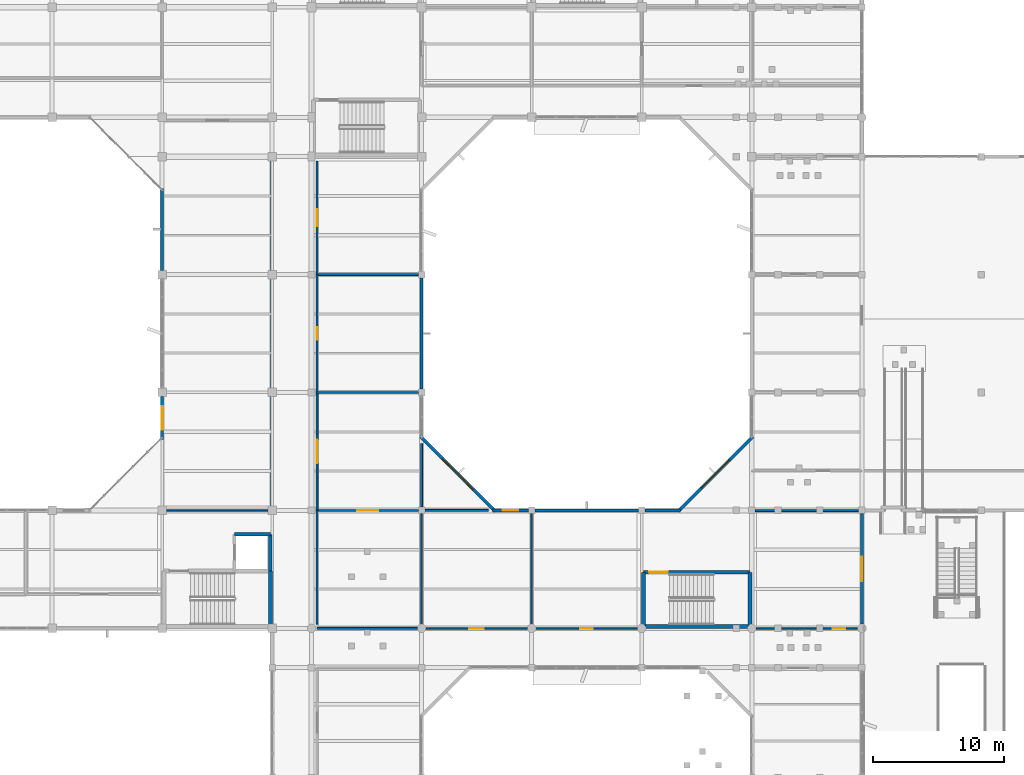
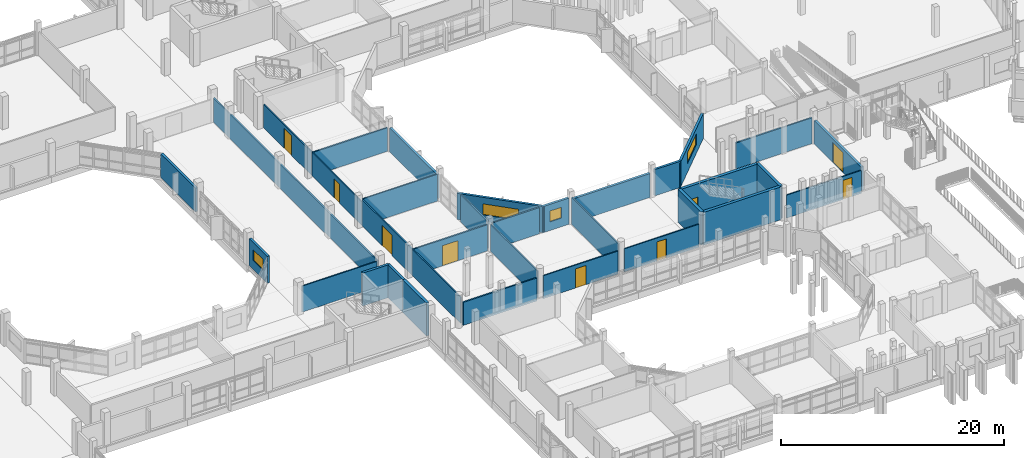
# One storey, part 67 of 104: 34 walls, 9 doors, 4 windows, 13 openings.
"""IFC4 building model written with IfcOpenShell, lengths in metres."""

from ifc_helpers import new_model, si_unit, direction, frame, frame_2d, origin, place, context, subcontext, project, spatial, rectangle, extrude, material, layer, layer_set, type_object, element, fill, save


model = new_model("IFC4")

# Units and contexts
model_context = context("Model", 3, precision=1e-05, world=origin(), true_north=direction((0.0, 1.0)))
body_context = subcontext(model_context, "Body", "Model", "MODEL_VIEW")
ifc_project = project(units=[si_unit("LENGTHUNIT", "METRE"), si_unit("AREAUNIT", "SQUARE_METRE"), si_unit("VOLUMEUNIT", "CUBIC_METRE"), si_unit("PLANEANGLEUNIT", "RADIAN"), si_unit("MASSUNIT", "GRAM", prefix="KILO")], contexts=[model_context])

# Site, building, storey
site_placement = place(None, origin())
site = spatial("IfcSite", under=ifc_project, at=site_placement, CompositionType="ELEMENT")
building_placement = place(site_placement, origin())
building = spatial("IfcBuilding", under=site, at=building_placement, Name="Vanh Quang Courtyard School", CompositionType="ELEMENT")
storey_placement = place(building_placement, frame((0.0, 0.0, 4.199951171875)))
storey = spatial("IfcBuildingStorey", under=building, at=storey_placement, Name="L01", CompositionType="ELEMENT", Elevation=4.199951171875)

# Walls
ifc_material_1 = material(Name="Concrete C35/45", Category="concrete")
ifc_layer_1 = layer(ifc_material_1, 0.300048828125)
ifc_layer_set_1 = layer_set([ifc_layer_1], Name="Concrete C35/45")
wall_type_1 = type_object("IfcWallType", Name="W-CORE-300", PredefinedType="SHEAR", material=ifc_layer_set_1)
wall_1_placement = place(storey_placement, frame((74.260009765625, 32.5400390625, 0.0), z_axis=(0.0, 0.0, 1.0), x_axis=(0.0, 1.0, 0.0)))
element("IfcWall", 1, at=wall_1_placement, inside=storey, type_object=wall_type_1, Name="Wall W-CORE1 (L01)", PredefinedType="SHEAR", context=body_context, shape_type="SweptSolid", body=[
    extrude(rectangle(XDim=4.239990234375, YDim=0.300048828125, at=frame_2d((2.1201171875, 0.0))), origin(), (0.0, 0.0, 1.0), 3.60009765625),
])
wall_2_placement = place(storey_placement, frame((102.739990234375, 32.5400390625, 0.0), z_axis=(0.0, 0.0, 1.0), x_axis=(1.0, 0.0, 0.0)))
element("IfcWall", 2, at=wall_2_placement, inside=storey, type_object=wall_type_1, Name="Wall W-CORE1 (L01)", PredefinedType="SHEAR", context=body_context, shape_type="SweptSolid", body=[
    extrude(rectangle(XDim=8.1201171875, YDim=0.300048828125, at=frame_2d((4.06005859375, 0.0))), origin(), (0.0, 0.0, 1.0), 3.60009765625),
])
wall_3_placement = place(storey_placement, frame((110.860107421875, 32.5400390625, 0.0), z_axis=(0.0, 0.0, 1.0), x_axis=(0.0, 1.0, 0.0)))
element("IfcWall", 3, at=wall_3_placement, inside=storey, type_object=wall_type_1, Name="Wall W-CORE1 (L01)", PredefinedType="SHEAR", context=body_context, shape_type="SweptSolid", body=[
    extrude(rectangle(XDim=4.139892578125, YDim=0.300048828125, at=frame_2d((2.06982421875, 0.0))), origin(), (0.0, 0.0, 1.0), 3.60009765625),
])

# Wall, opening, door
wall_4_placement = place(storey_placement, frame((110.860107421875, 36.679931640625, 0.0), z_axis=(0.0, 0.0, 1.0), x_axis=(-1.0, 0.0, 0.0)))
wall_4 = element("IfcWall", 4, at=wall_4_placement, inside=storey, type_object=wall_type_1, Name="Wall W-CORE1 (L01)", PredefinedType="SHEAR", context=body_context, shape_type="SweptSolid", body=[
    extrude(rectangle(XDim=8.1201171875, YDim=0.300048828125, at=frame_2d((4.06005859375, 0.0))), origin(), (0.0, 0.0, 1.0), 3.60009765625),
])
opening_1_placement = place(wall_4_placement, frame((6.27001953125, 0.0, 0.0)))
opening_1 = element("IfcOpeningElement", 5, at=opening_1_placement, cuts=wall_4, Name="Opening L01-DS8", PredefinedType="OPENING", context=body_context, shape_type="SweptSolid", body=[
    extrude(rectangle(XDim=1.419921875, YDim=2.14990234375, at=frame_2d((0.7099609375, 1.074951171875))), frame((0.0, 0.16015625, 0.0), z_axis=(0.0, -1.0, 0.0), x_axis=(1.0, 0.0, 0.0)), (0.0, 0.0, 1.0), 0.320068359375),
])
ifc_material_2 = material(Name="Painted galvanised steel fire door", Category="steel")
door_type_1 = type_object("IfcDoorType", Name="IDR-ST-1420x2150", OperationType="NOTDEFINED", PredefinedType="DOOR", material=ifc_material_2)
door_1_placement = place(opening_1_placement, frame((1.419921875, 0.0, 0.0), z_axis=(0.0, 0.0, 1.0), x_axis=(-1.0, 0.0, 0.0)))
door_1 = element("IfcDoor", 6, at=door_1_placement, inside=storey, type_object=door_type_1, Name="Door L01-DS8 (L01)", OperationType="SINGLE_SWING_RIGHT", OverallHeight=2.14990234375, OverallWidth=1.419921875, PredefinedType="DOOR", context=body_context, shape_type="SweptSolid", body=[
    extrude(rectangle(XDim=1.419921875, YDim=2.14990234375, at=frame_2d((0.7099609375, 1.074951171875))), frame((0.0, 0.02490234375, 0.0), z_axis=(0.0, -1.0, 0.0), x_axis=(1.0, 0.0, 0.0)), (0.0, 0.0, 1.0), 0.050048828125),
])
fill(opening_1, door_1)

# Wall
wall_5_placement = place(storey_placement, frame((102.739990234375, 36.679931640625, 0.0), z_axis=(0.0, 0.0, 1.0), x_axis=(0.0, -1.0, 0.0)))
element("IfcWall", 7, at=wall_5_placement, inside=storey, type_object=wall_type_1, Name="Wall W-CORE1 (L01)", PredefinedType="SHEAR", context=body_context, shape_type="SweptSolid", body=[
    extrude(rectangle(XDim=4.139892578125, YDim=0.300048828125, at=frame_2d((2.06982421875, 0.0))), origin(), (0.0, 0.0, 1.0), 3.60009765625),
])

# Wall, opening, door
ifc_material_3 = material(Name="Precast concrete C40/50", Category="concrete")
ifc_layer_2 = layer(ifc_material_3, 0.239990234375)
ifc_layer_set_2 = layer_set([ifc_layer_2], Name="Precast concrete C40/50")
wall_type_2 = type_object("IfcWallType", Name="W-EXT-240", PredefinedType="SOLIDWALL", material=ifc_layer_set_2)
wall_6_placement = place(storey_placement, frame((119.39990234375, 41.152099609375, 0.0), z_axis=(0.0, 0.0, 1.0), x_axis=(0.0, -1.0, 0.0)))
wall_6 = element("IfcWall", 8, at=wall_6_placement, inside=storey, type_object=wall_type_2, Name="Wall WE-03 (L01)", PredefinedType="SOLIDWALL", context=body_context, shape_type="SweptSolid", body=[
    extrude(rectangle(XDim=8.42919921875, YDim=0.239990234375, at=frame_2d((4.214599609375, 0.0))), origin(), (0.0, 0.0, 1.0), 2.580078125),
])
opening_2_placement = place(wall_6_placement, frame((3.28955078125, 0.0, 0.0)))
opening_2 = element("IfcOpeningElement", 9, at=opening_2_placement, cuts=wall_6, Name="Opening L01-PD047", PredefinedType="OPENING", context=body_context, shape_type="SweptSolid", body=[
    extrude(rectangle(XDim=1.85009765625, YDim=2.199951171875, at=frame_2d((0.925048828125, 1.10009765625))), frame((0.0, 0.1298828125, 0.0), z_axis=(0.0, -1.0, 0.0), x_axis=(1.0, 0.0, 0.0)), (0.0, 0.0, 1.0), 0.260009765625),
])
ifc_material_4 = material(Name="Thermally broken aluminium and laminated safety glass", Category="aluminium")
door_type_2 = type_object("IfcDoorType", Name="EDR-TYP-08", OperationType="NOTDEFINED", PredefinedType="DOOR", material=ifc_material_4)
door_2_placement = place(opening_2_placement, origin())
door_2 = element("IfcDoor", 10, at=door_2_placement, inside=storey, type_object=door_type_2, Name="Door L01-PD047 (L01)", OperationType="SINGLE_SWING_RIGHT", OverallHeight=2.199951171875, OverallWidth=1.85009765625, PredefinedType="DOOR", context=body_context, shape_type="SweptSolid", body=[
    extrude(rectangle(XDim=1.85009765625, YDim=2.199951171875, at=frame_2d((0.925048828125, 1.10009765625))), frame((0.0, 0.02490234375, 0.0), z_axis=(0.0, -1.0, 0.0), x_axis=(1.0, 0.0, 0.0)), (0.0, 0.0, 1.0), 0.050048828125),
])
fill(opening_2, door_2)

# Wall, opening, window
wall_7_placement = place(storey_placement, frame((66.0, 46.823974609375, 0.0), z_axis=(0.0, 0.0, 1.0), x_axis=(0.0, 1.0, 0.0)))
wall_7 = element("IfcWall", 11, at=wall_7_placement, inside=storey, type_object=wall_type_2, Name="Wall WE-03 (L01)", PredefinedType="SOLIDWALL", context=body_context, shape_type="SweptSolid", body=[
    extrude(rectangle(XDim=3.2529296875, YDim=0.239990234375, at=frame_2d((1.62646484375, 0.0))), origin(), (0.0, 0.0, 1.0), 2.93994140625),
])
opening_3_placement = place(wall_7_placement, frame((0.7265625, 0.0, 0.949951171875)))
opening_3 = element("IfcOpeningElement", 12, at=opening_3_placement, cuts=wall_7, Name="Opening WN-03", PredefinedType="OPENING", context=body_context, shape_type="SweptSolid", body=[
    extrude(rectangle(XDim=1.800048828125, YDim=1.199951171875, at=frame_2d((0.89990234375, 0.60009765625))), frame((0.0, 0.1298828125, 0.0), z_axis=(0.0, -1.0, 0.0), x_axis=(1.0, 0.0, 0.0)), (0.0, 0.0, 1.0), 0.260009765625),
])
ifc_material_5 = material(Name="Anodised aluminium and low-E double glazing", Category="aluminium")
window_type_1 = type_object("IfcWindowType", Name="WIN-TYP-03", PartitioningType="SINGLE_PANEL", PredefinedType="WINDOW", material=ifc_material_5)
window_1_placement = place(opening_3_placement, origin())
window_1 = element("IfcWindow", 13, at=window_1_placement, inside=storey, type_object=window_type_1, Name="Window WN-03 (L01)", OverallHeight=1.199951171875, OverallWidth=1.800048828125, PartitioningType="SINGLE_PANEL", PredefinedType="WINDOW", context=body_context, shape_type="SweptSolid", body=[
    extrude(rectangle(XDim=1.800048828125, YDim=1.199951171875, at=frame_2d((0.89990234375, 0.60009765625))), frame((0.0, 0.030029296875, 0.0), z_axis=(0.0, -1.0, 0.0), x_axis=(1.0, 0.0, 0.0)), (0.0, 0.0, 1.0), 0.06005859375),
])
fill(opening_3, window_1)

# Wall
wall_8_placement = place(storey_placement, frame((66.0, 59.722900390625, 0.0), z_axis=(0.0, 0.0, 1.0), x_axis=(0.0, 1.0, 0.0)))
element("IfcWall", 14, at=wall_8_placement, inside=storey, type_object=wall_type_2, Name="Wall WE-03 (L01)", PredefinedType="SOLIDWALL", context=body_context, shape_type="SweptSolid", body=[
    extrude(rectangle(XDim=6.253173828125, YDim=0.239990234375, at=frame_2d((3.12646484375, 0.0))), origin(), (0.0, 0.0, 1.0), 2.60009765625),
])

# Wall, opening, window
wall_9_placement = place(storey_placement, frame((91.22412109375, 41.39990234375, 0.0), z_axis=(0.0, 0.0, 1.0), x_axis=(1.0, 0.0, 0.0)))
wall_9 = element("IfcWall", 15, at=wall_9_placement, inside=storey, type_object=wall_type_2, Name="Wall WE-03 (L01)", PredefinedType="SOLIDWALL", context=body_context, shape_type="SweptSolid", body=[
    extrude(rectangle(XDim=2.727783203125, YDim=0.239990234375, at=frame_2d((1.36376953125, 0.0))), origin(), (0.0, 0.0, 1.0), 2.8701171875),
])
opening_4_placement = place(wall_9_placement, frame((0.763916015625, 0.0, 0.949951171875)))
opening_4 = element("IfcOpeningElement", 16, at=opening_4_placement, cuts=wall_9, Name="Opening WN-01", PredefinedType="OPENING", context=body_context, shape_type="SweptSolid", body=[
    extrude(rectangle(XDim=1.199951171875, YDim=1.199951171875, at=frame_2d((0.60009765625, 0.60009765625))), frame((0.0, 0.1298828125, 0.0), z_axis=(0.0, -1.0, 0.0), x_axis=(1.0, 0.0, 0.0)), (0.0, 0.0, 1.0), 0.260009765625),
])
window_type_2 = type_object("IfcWindowType", Name="WIN-TYP-01", PartitioningType="SINGLE_PANEL", PredefinedType="WINDOW", material=ifc_material_5)
window_2_placement = place(opening_4_placement, origin())
window_2 = element("IfcWindow", 17, at=window_2_placement, inside=storey, type_object=window_type_2, Name="Window WN-01 (L01)", OverallHeight=1.199951171875, OverallWidth=1.199951171875, PartitioningType="SINGLE_PANEL", PredefinedType="WINDOW", context=body_context, shape_type="SweptSolid", body=[
    extrude(rectangle(XDim=1.199951171875, YDim=1.199951171875, at=frame_2d((0.60009765625, 0.60009765625))), frame((0.0, 0.030029296875, 0.0), z_axis=(0.0, -1.0, 0.0), x_axis=(1.0, 0.0, 0.0)), (0.0, 0.0, 1.0), 0.06005859375),
])
fill(opening_4, window_2)

# Walls
wall_10_placement = place(storey_placement, frame((94.447998046875, 41.39990234375, 0.0), z_axis=(0.0, 0.0, 1.0), x_axis=(1.0, 0.0, 0.0)))
element("IfcWall", 18, at=wall_10_placement, inside=storey, type_object=wall_type_2, Name="Wall WE-03 (L01)", PredefinedType="SOLIDWALL", context=body_context, shape_type="SweptSolid", body=[
    extrude(rectangle(XDim=7.904052734375, YDim=0.239990234375, at=frame_2d((3.9521484375, 0.0))), origin(), (0.0, 0.0, 1.0), 2.6201171875),
])
wall_11_placement = place(storey_placement, frame((102.847900390625, 41.39990234375, 0.0), z_axis=(0.0, 0.0, 1.0), x_axis=(1.0, 0.0, 0.0)))
element("IfcWall", 19, at=wall_11_placement, inside=storey, type_object=wall_type_2, Name="Wall WE-03 (L01)", PredefinedType="SOLIDWALL", context=body_context, shape_type="SweptSolid", body=[
    extrude(rectangle(XDim=2.72802734375, YDim=0.239990234375, at=frame_2d((1.364013671875, 0.0))), origin(), (0.0, 0.0, 1.0), 2.8701171875),
])

# Wall, opening, window
wall_12_placement = place(storey_placement, frame((105.37109375, 41.315185546875, 0.0), z_axis=(0.0, 0.0, 1.0), x_axis=(0.707121887885, 0.707091674165, 0.0)))
wall_12 = element("IfcWall", 20, at=wall_12_placement, inside=storey, type_object=wall_type_2, Name="Wall WE-03 (L01)", PredefinedType="SOLIDWALL", context=body_context, shape_type="SweptSolid", body=[
    extrude(rectangle(XDim=8.08056640625, YDim=0.239990234375, at=frame_2d((4.040283203125, 0.0))), origin(), (0.0, 0.0, 1.0), 2.719970703125),
])
opening_5_placement = place(wall_12_placement, frame((2.540283203125, 0.0, 0.949951171875)))
opening_5 = element("IfcOpeningElement", 21, at=opening_5_placement, cuts=wall_12, Name="Opening WN-07", PredefinedType="OPENING", context=body_context, shape_type="SweptSolid", body=[
    extrude(rectangle(XDim=3.0, YDim=1.199951171875, at=frame_2d((1.5, 0.60009765625))), frame((0.0, 0.1298828125, 0.0), z_axis=(0.0, -1.0, 0.0), x_axis=(1.0, 0.0, 0.0)), (0.0, 0.0, 1.0), 0.260009765625),
])
window_type_3 = type_object("IfcWindowType", Name="WIN-TYP-07", PartitioningType="SINGLE_PANEL", PredefinedType="WINDOW", material=ifc_material_5)
window_3_placement = place(opening_5_placement, origin())
window_3 = element("IfcWindow", 22, at=window_3_placement, inside=storey, type_object=window_type_3, Name="Window WN-07 (L01)", OverallHeight=1.199951171875, OverallWidth=3.0, PartitioningType="SINGLE_PANEL", PredefinedType="WINDOW", context=body_context, shape_type="SweptSolid", body=[
    extrude(rectangle(XDim=3.0, YDim=1.199951171875, at=frame_2d((1.5, 0.60009765625))), frame((0.0, 0.030029296875, 0.0), z_axis=(0.0, -1.0, 0.0), x_axis=(1.0, 0.0, 0.0)), (0.0, 0.0, 1.0), 0.06005859375),
])
fill(opening_5, window_3)

# Wall
wall_13_placement = place(storey_placement, frame((85.800048828125, 59.152099609375, 0.0), z_axis=(0.0, 0.0, 1.0), x_axis=(0.0, -1.0, 0.0)))
element("IfcWall", 23, at=wall_13_placement, inside=storey, type_object=wall_type_2, Name="Wall WE-03 (L01)", PredefinedType="SOLIDWALL", context=body_context, shape_type="SweptSolid", body=[
    extrude(rectangle(XDim=8.504150390625, YDim=0.239990234375, at=frame_2d((4.251953125, 0.0))), origin(), (0.0, 0.0, 1.0), 2.6201171875),
])

# Wall, opening, window
wall_14_placement = place(storey_placement, frame((85.715087890625, 47.02880859375, 0.0), z_axis=(0.0, 0.0, 1.0), x_axis=(0.707121887885, -0.707091674165, 0.0)))
wall_14 = element("IfcWall", 24, at=wall_14_placement, inside=storey, type_object=wall_type_2, Name="Wall WE-03 (L01)", PredefinedType="SOLIDWALL", context=body_context, shape_type="SweptSolid", body=[
    extrude(rectangle(XDim=8.08056640625, YDim=0.239990234375, at=frame_2d((4.040283203125, 0.0))), origin(), (0.0, 0.0, 1.0), 2.8701171875),
])
opening_6_placement = place(wall_14_placement, frame((2.390380859375, 0.0, 0.949951171875)))
opening_6 = element("IfcOpeningElement", 25, at=opening_6_placement, cuts=wall_14, Name="Opening WN-08", PredefinedType="OPENING", context=body_context, shape_type="SweptSolid", body=[
    extrude(rectangle(XDim=3.300048828125, YDim=1.199951171875, at=frame_2d((1.64990234375, 0.60009765625))), frame((0.0, 0.1298828125, 0.0), z_axis=(0.0, -1.0, 0.0), x_axis=(1.0, 0.0, 0.0)), (0.0, 0.0, 1.0), 0.260009765625),
])
window_type_4 = type_object("IfcWindowType", Name="WIN-TYP-08", PartitioningType="SINGLE_PANEL", PredefinedType="WINDOW", material=ifc_material_5)
window_4_placement = place(opening_6_placement, origin())
window_4 = element("IfcWindow", 26, at=window_4_placement, inside=storey, type_object=window_type_4, Name="Window WN-08 (L01)", OverallHeight=1.199951171875, OverallWidth=3.300048828125, PartitioningType="SINGLE_PANEL", PredefinedType="WINDOW", context=body_context, shape_type="SweptSolid", body=[
    extrude(rectangle(XDim=3.300048828125, YDim=1.199951171875, at=frame_2d((1.64990234375, 0.60009765625))), frame((0.0, 0.030029296875, 0.0), z_axis=(0.0, -1.0, 0.0), x_axis=(1.0, 0.0, 0.0)), (0.0, 0.0, 1.0), 0.06005859375),
])
fill(opening_6, window_4)

# Walls
ifc_material_6 = material(Name="Acoustic gypsum stud partition", Category="gypsum")
ifc_layer_3 = layer(ifc_material_6, 0.1201171875)
ifc_layer_set_3 = layer_set([ifc_layer_3], Name="Acoustic gypsum stud partition")
wall_type_3 = type_object("IfcWallType", Name="W-PART-120", PredefinedType="PARTITIONING", material=ifc_layer_set_3)
wall_15_placement = place(storey_placement, frame((74.076904296875, 41.39990234375, 0.0), z_axis=(0.0, 0.0, 1.0), x_axis=(-1.0, 0.0, 0.0)))
element("IfcWall", 27, at=wall_15_placement, inside=storey, type_object=wall_type_3, Name="Wall W-PRT2 (L01)", PredefinedType="PARTITIONING", context=body_context, shape_type="SweptSolid", body=[
    extrude(rectangle(XDim=7.75390625, YDim=0.1201171875, at=frame_2d((3.876953125, 0.0))), origin(), (0.0, 0.0, 1.0), 2.85009765625),
])
wall_16_placement = place(storey_placement, frame((85.800048828125, 41.152099609375, 0.0), z_axis=(0.0, 0.0, 1.0), x_axis=(0.0, -1.0, 0.0)))
element("IfcWall", 28, at=wall_16_placement, inside=storey, type_object=wall_type_3, Name="Wall W-PRT2 (L01)", PredefinedType="PARTITIONING", context=body_context, shape_type="SweptSolid", body=[
    extrude(rectangle(XDim=8.42919921875, YDim=0.1201171875, at=frame_2d((4.214599609375, 0.0))), origin(), (0.0, 0.0, 1.0), 2.920166015625),
])
wall_17_placement = place(storey_placement, frame((77.820068359375, 32.722900390625, 0.0), z_axis=(0.0, 0.0, 1.0), x_axis=(0.0, 1.0, 0.0)))
element("IfcWall", 29, at=wall_17_placement, inside=storey, type_object=wall_type_3, Name="Wall W-PRT2 (L01)", PredefinedType="PARTITIONING", context=body_context, shape_type="SweptSolid", body=[
    extrude(rectangle(XDim=8.677001953125, YDim=0.1201171875, at=frame_2d((4.33837890625, 0.0))), origin(), (0.0, 0.0, 1.0), 2.8701171875),
])
wall_18_placement = place(storey_placement, frame((77.820068359375, 50.39990234375, 0.0), z_axis=(0.0, 0.0, 1.0), x_axis=(1.0, 0.0, 0.0)))
element("IfcWall", 30, at=wall_18_placement, inside=storey, type_object=wall_type_3, Name="Wall W-PRT2 (L01)", PredefinedType="PARTITIONING", context=body_context, shape_type="SweptSolid", body=[
    extrude(rectangle(XDim=7.73193359375, YDim=0.1201171875, at=frame_2d((3.865966796875, 0.0))), origin(), (0.0, 0.0, 1.0), 2.929931640625),
])

# Wall, opening, door
wall_19_placement = place(storey_placement, frame((77.820068359375, 50.419921875, 0.0), z_axis=(0.0, 0.0, 1.0), x_axis=(0.0, 1.0, 0.0)))
wall_19 = element("IfcWall", 31, at=wall_19_placement, inside=storey, type_object=wall_type_3, Name="Wall W-PRT2 (L01)", PredefinedType="PARTITIONING", context=body_context, shape_type="SweptSolid", body=[
    extrude(rectangle(XDim=8.97998046875, YDim=0.1201171875, at=frame_2d((4.489990234375, 0.0))), origin(), (0.0, 0.0, 1.0), 2.570068359375),
])
opening_7_placement = place(wall_19_placement, frame((4.014892578125, 0.0, 0.0)))
opening_7 = element("IfcOpeningElement", 32, at=opening_7_placement, cuts=wall_19, Name="Opening L01-D068", PredefinedType="OPENING", context=body_context, shape_type="SweptSolid", body=[
    extrude(rectangle(XDim=0.949951171875, YDim=2.10009765625, at=frame_2d((0.47509765625, 1.050048828125))), frame((0.0, 0.070068359375, 0.0), z_axis=(0.0, -1.0, 0.0), x_axis=(1.0, 0.0, 0.0)), (0.0, 0.0, 1.0), 0.14013671875),
])
ifc_material_7 = material(Name="Solid-core hardwood acoustic door", Category="wood")
door_type_3 = type_object("IfcDoorType", Name="IDR-CLS-0950x2100", OperationType="NOTDEFINED", PredefinedType="DOOR", material=ifc_material_7)
door_3_placement = place(opening_7_placement, origin())
door_3 = element("IfcDoor", 33, at=door_3_placement, inside=storey, type_object=door_type_3, Name="Door L01-D068 (L01)", OperationType="SINGLE_SWING_LEFT", OverallHeight=2.10009765625, OverallWidth=0.949951171875, PredefinedType="DOOR", context=body_context, shape_type="SweptSolid", body=[
    extrude(rectangle(XDim=0.949951171875, YDim=2.10009765625, at=frame_2d((0.47509765625, 1.050048828125))), frame((0.0, 0.02490234375, 0.0), z_axis=(0.0, -1.0, 0.0), x_axis=(1.0, 0.0, 0.0)), (0.0, 0.0, 1.0), 0.050048828125),
])
fill(opening_7, door_3)

wall_20_placement = place(storey_placement, frame((77.820068359375, 59.419921875, 0.0), z_axis=(0.0, 0.0, 1.0), x_axis=(0.0, 1.0, 0.0)))
wall_20 = element("IfcWall", 34, at=wall_20_placement, inside=storey, type_object=wall_type_3, Name="Wall W-PRT2 (L01)", PredefinedType="PARTITIONING", context=body_context, shape_type="SweptSolid", body=[
    extrude(rectangle(XDim=8.632080078125, YDim=0.1201171875, at=frame_2d((4.31591796875, 0.0))), origin(), (0.0, 0.0, 1.0), 2.570068359375),
])
opening_8_placement = place(wall_20_placement, frame((3.666015625, 0.0, 0.0)))
opening_8 = element("IfcOpeningElement", 35, at=opening_8_placement, cuts=wall_20, Name="Opening L01-D069", PredefinedType="OPENING", context=body_context, shape_type="SweptSolid", body=[
    extrude(rectangle(XDim=1.300048828125, YDim=2.14990234375, at=frame_2d((0.64990234375, 1.074951171875))), frame((0.0, 0.070068359375, 0.0), z_axis=(0.0, -1.0, 0.0), x_axis=(1.0, 0.0, 0.0)), (0.0, 0.0, 1.0), 0.14013671875),
])
door_type_4 = type_object("IfcDoorType", Name="IDR-STU-1300x2150", OperationType="NOTDEFINED", PredefinedType="DOOR", material=ifc_material_7)
door_4_placement = place(opening_8_placement, origin())
door_4 = element("IfcDoor", 36, at=door_4_placement, inside=storey, type_object=door_type_4, Name="Door L01-D069 (L01)", OperationType="SINGLE_SWING_RIGHT", OverallHeight=2.14990234375, OverallWidth=1.300048828125, PredefinedType="DOOR", context=body_context, shape_type="SweptSolid", body=[
    extrude(rectangle(XDim=1.300048828125, YDim=2.14990234375, at=frame_2d((0.64990234375, 1.074951171875))), frame((0.0, 0.02490234375, 0.0), z_axis=(0.0, -1.0, 0.0), x_axis=(1.0, 0.0, 0.0)), (0.0, 0.0, 1.0), 0.050048828125),
])
fill(opening_8, door_4)

wall_21_placement = place(storey_placement, frame((93.876953125, 32.39990234375, 0.0), z_axis=(0.0, 0.0, 1.0), x_axis=(-1.0, 0.0, 0.0)))
wall_21 = element("IfcWall", 37, at=wall_21_placement, inside=storey, type_object=wall_type_3, Name="Wall W-PRT2 (L01)", PredefinedType="PARTITIONING", context=body_context, shape_type="SweptSolid", body=[
    extrude(rectangle(XDim=7.75390625, YDim=0.1201171875, at=frame_2d((3.876953125, 0.0))), origin(), (0.0, 0.0, 1.0), 2.52001953125),
])
opening_9_placement = place(wall_21_placement, frame((3.326904296875, 0.0, 0.0)))
opening_9 = element("IfcOpeningElement", 38, at=opening_9_placement, cuts=wall_21, Name="Opening L01-D072", PredefinedType="OPENING", context=body_context, shape_type="SweptSolid", body=[
    extrude(rectangle(XDim=1.10009765625, YDim=2.10009765625, at=frame_2d((0.550048828125, 1.050048828125))), frame((0.0, 0.070068359375, 0.0), z_axis=(0.0, -1.0, 0.0), x_axis=(1.0, 0.0, 0.0)), (0.0, 0.0, 1.0), 0.14013671875),
])
door_type_5 = type_object("IfcDoorType", Name="IDR-CLS-1100x2100", OperationType="NOTDEFINED", PredefinedType="DOOR", material=ifc_material_7)
door_5_placement = place(opening_9_placement, origin())
door_5 = element("IfcDoor", 39, at=door_5_placement, inside=storey, type_object=door_type_5, Name="Door L01-D072 (L01)", OperationType="SINGLE_SWING_LEFT", OverallHeight=2.10009765625, OverallWidth=1.10009765625, PredefinedType="DOOR", context=body_context, shape_type="SweptSolid", body=[
    extrude(rectangle(XDim=1.10009765625, YDim=2.10009765625, at=frame_2d((0.550048828125, 1.050048828125))), frame((0.0, 0.02490234375, 0.0), z_axis=(0.0, -1.0, 0.0), x_axis=(1.0, 0.0, 0.0)), (0.0, 0.0, 1.0), 0.050048828125),
])
fill(opening_9, door_5)

# Wall
wall_22_placement = place(storey_placement, frame((94.199951171875, 41.152099609375, 0.0), z_axis=(0.0, 0.0, 1.0), x_axis=(0.0, -1.0, 0.0)))
element("IfcWall", 40, at=wall_22_placement, inside=storey, type_object=wall_type_3, Name="Wall W-PRT2 (L01)", PredefinedType="PARTITIONING", context=body_context, shape_type="SweptSolid", body=[
    extrude(rectangle(XDim=8.42919921875, YDim=0.1201171875, at=frame_2d((4.214599609375, 0.0))), origin(), (0.0, 0.0, 1.0), 2.9599609375),
])

# Wall, opening, door
wall_23_placement = place(storey_placement, frame((102.277099609375, 32.39990234375, 0.0), z_axis=(0.0, 0.0, 1.0), x_axis=(-1.0, 0.0, 0.0)))
wall_23 = element("IfcWall", 41, at=wall_23_placement, inside=storey, type_object=wall_type_3, Name="Wall W-PRT2 (L01)", PredefinedType="PARTITIONING", context=body_context, shape_type="SweptSolid", body=[
    extrude(rectangle(XDim=7.754150390625, YDim=0.1201171875, at=frame_2d((3.876953125, 0.0))), origin(), (0.0, 0.0, 1.0), 2.52001953125),
])
opening_10_placement = place(wall_23_placement, frame((3.402099609375, 0.0, 0.0)))
opening_10 = element("IfcOpeningElement", 42, at=opening_10_placement, cuts=wall_23, Name="Opening L01-D077", PredefinedType="OPENING", context=body_context, shape_type="SweptSolid", body=[
    extrude(rectangle(XDim=0.949951171875, YDim=2.10009765625, at=frame_2d((0.47509765625, 1.050048828125))), frame((0.0, 0.070068359375, 0.0), z_axis=(0.0, -1.0, 0.0), x_axis=(1.0, 0.0, 0.0)), (0.0, 0.0, 1.0), 0.14013671875),
])
door_6_placement = place(opening_10_placement, origin())
door_6 = element("IfcDoor", 43, at=door_6_placement, inside=storey, type_object=door_type_3, Name="Door L01-D077 (L01)", OperationType="SINGLE_SWING_RIGHT", OverallHeight=2.10009765625, OverallWidth=0.949951171875, PredefinedType="DOOR", context=body_context, shape_type="SweptSolid", body=[
    extrude(rectangle(XDim=0.949951171875, YDim=2.10009765625, at=frame_2d((0.47509765625, 1.050048828125))), frame((0.0, 0.02490234375, 0.0), z_axis=(0.0, -1.0, 0.0), x_axis=(1.0, 0.0, 0.0)), (0.0, 0.0, 1.0), 0.050048828125),
])
fill(opening_10, door_6)

wall_24_placement = place(storey_placement, frame((119.076904296875, 32.39990234375, 0.0), z_axis=(0.0, 0.0, 1.0), x_axis=(-1.0, 0.0, 0.0)))
wall_24 = element("IfcWall", 44, at=wall_24_placement, inside=storey, type_object=wall_type_3, Name="Wall W-PRT2 (L01)", PredefinedType="PARTITIONING", context=body_context, shape_type="SweptSolid", body=[
    extrude(rectangle(XDim=7.75390625, YDim=0.1201171875, at=frame_2d((3.876953125, 0.0))), origin(), (0.0, 0.0, 1.0), 2.52001953125),
])
opening_11_placement = place(wall_24_placement, frame((0.951904296875, 0.0, 0.0)))
opening_11 = element("IfcOpeningElement", 45, at=opening_11_placement, cuts=wall_24, Name="Opening L01-D086", PredefinedType="OPENING", context=body_context, shape_type="SweptSolid", body=[
    extrude(rectangle(XDim=0.949951171875, YDim=2.10009765625, at=frame_2d((0.47509765625, 1.050048828125))), frame((0.0, 0.070068359375, 0.0), z_axis=(0.0, -1.0, 0.0), x_axis=(1.0, 0.0, 0.0)), (0.0, 0.0, 1.0), 0.14013671875),
])
door_7_placement = place(opening_11_placement, origin())
door_7 = element("IfcDoor", 46, at=door_7_placement, inside=storey, type_object=door_type_3, Name="Door L01-D086 (L01)", OperationType="SINGLE_SWING_LEFT", OverallHeight=2.10009765625, OverallWidth=0.949951171875, PredefinedType="DOOR", context=body_context, shape_type="SweptSolid", body=[
    extrude(rectangle(XDim=0.949951171875, YDim=2.10009765625, at=frame_2d((0.47509765625, 1.050048828125))), frame((0.0, 0.02490234375, 0.0), z_axis=(0.0, -1.0, 0.0), x_axis=(1.0, 0.0, 0.0)), (0.0, 0.0, 1.0), 0.050048828125),
])
fill(opening_11, door_7)

# Wall
ifc_material_8 = material(Name="Autoclaved aerated masonry blockwork", Category="masonry")
ifc_layer_4 = layer(ifc_material_8, 0.14990234375)
ifc_layer_set_4 = layer_set([ifc_layer_4], Name="Autoclaved aerated masonry blockwork")
wall_type_4 = type_object("IfcWallType", Name="W-PART-150", PredefinedType="PARTITIONING", material=ifc_layer_set_4)
wall_25_placement = place(storey_placement, frame((74.3798828125, 71.076904296875, 0.0), z_axis=(0.0, 0.0, 1.0), x_axis=(0.0, -1.0, 0.0)))
element("IfcWall", 47, at=wall_25_placement, inside=storey, type_object=wall_type_4, Name="Wall W-PRT1 (L01)", PredefinedType="PARTITIONING", context=body_context, shape_type="SweptSolid", body=[
    extrude(rectangle(XDim=29.35400390625, YDim=0.14990234375, at=frame_2d((14.677001953125, 0.0))), origin(), (0.0, 0.0, 1.0), 2.650146484375),
])

# Wall, opening, door
wall_26_placement = place(storey_placement, frame((77.820068359375, 41.39990234375, 0.0), z_axis=(0.0, 0.0, 1.0), x_axis=(1.0, 0.0, 0.0)))
wall_26 = element("IfcWall", 48, at=wall_26_placement, inside=storey, type_object=wall_type_4, Name="Wall W-PRT1 (L01)", PredefinedType="PARTITIONING", context=body_context, shape_type="SweptSolid", body=[
    extrude(rectangle(XDim=7.73193359375, YDim=0.14990234375, at=frame_2d((3.865966796875, 0.0))), origin(), (0.0, 0.0, 1.0), 2.8701171875),
])
opening_12_placement = place(wall_26_placement, frame((3.06591796875, 0.0, 0.0)))
opening_12 = element("IfcOpeningElement", 49, at=opening_12_placement, cuts=wall_26, Name="Opening L01-D066", PredefinedType="OPENING", context=body_context, shape_type="SweptSolid", body=[
    extrude(rectangle(XDim=1.60009765625, YDim=2.199951171875, at=frame_2d((0.800048828125, 1.10009765625))), frame((0.0, 0.0849609375, 0.0), z_axis=(0.0, -1.0, 0.0), x_axis=(1.0, 0.0, 0.0)), (0.0, 0.0, 1.0), 0.169921875),
])
door_type_6 = type_object("IfcDoorType", Name="IDR-FD-1600x2200", OperationType="NOTDEFINED", PredefinedType="DOOR", material=ifc_material_2)
door_8_placement = place(opening_12_placement, origin())
door_8 = element("IfcDoor", 50, at=door_8_placement, inside=storey, type_object=door_type_6, Name="Door L01-D066 (L01)", OperationType="DOUBLE_DOOR_SINGLE_SWING", OverallHeight=2.199951171875, OverallWidth=1.60009765625, PredefinedType="DOOR", context=body_context, shape_type="SweptSolid", body=[
    extrude(rectangle(XDim=1.60009765625, YDim=2.199951171875, at=frame_2d((0.800048828125, 1.10009765625))), frame((0.0, 0.02490234375, 0.0), z_axis=(0.0, -1.0, 0.0), x_axis=(1.0, 0.0, 0.0)), (0.0, 0.0, 1.0), 0.050048828125),
])
fill(opening_12, door_8)

# Wall
wall_27_placement = place(storey_placement, frame((85.47705078125, 32.39990234375, 0.0), z_axis=(0.0, 0.0, 1.0), x_axis=(-1.0, 0.0, 0.0)))
element("IfcWall", 51, at=wall_27_placement, inside=storey, type_object=wall_type_4, Name="Wall W-PRT1 (L01)", PredefinedType="PARTITIONING", context=body_context, shape_type="SweptSolid", body=[
    extrude(rectangle(XDim=7.656982421875, YDim=0.14990234375, at=frame_2d((3.82861328125, 0.0))), origin(), (0.0, 0.0, 1.0), 2.52001953125),
])

# Wall, opening, door
wall_28_placement = place(storey_placement, frame((77.820068359375, 41.419921875, 0.0), z_axis=(0.0, 0.0, 1.0), x_axis=(0.0, 1.0, 0.0)))
wall_28 = element("IfcWall", 52, at=wall_28_placement, inside=storey, type_object=wall_type_4, Name="Wall W-PRT1 (L01)", PredefinedType="PARTITIONING", context=body_context, shape_type="SweptSolid", body=[
    extrude(rectangle(XDim=8.97998046875, YDim=0.14990234375, at=frame_2d((4.489990234375, 0.0))), origin(), (0.0, 0.0, 1.0), 2.8701171875),
])
opening_13_placement = place(wall_28_placement, frame((3.590087890625, 0.0, 0.0)))
opening_13 = element("IfcOpeningElement", 53, at=opening_13_placement, cuts=wall_28, Name="Opening L01-D067", PredefinedType="OPENING", context=body_context, shape_type="SweptSolid", body=[
    extrude(rectangle(XDim=1.800048828125, YDim=2.25, at=frame_2d((0.89990234375, 1.125))), frame((0.0, 0.0849609375, 0.0), z_axis=(0.0, -1.0, 0.0), x_axis=(1.0, 0.0, 0.0)), (0.0, 0.0, 1.0), 0.169921875),
])
door_type_7 = type_object("IfcDoorType", Name="IDR-FD-1800x2250", OperationType="NOTDEFINED", PredefinedType="DOOR", material=ifc_material_2)
door_9_placement = place(opening_13_placement, origin())
door_9 = element("IfcDoor", 54, at=door_9_placement, inside=storey, type_object=door_type_7, Name="Door L01-D067 (L01)", OperationType="DOUBLE_DOOR_SINGLE_SWING", OverallHeight=2.25, OverallWidth=1.800048828125, PredefinedType="DOOR", context=body_context, shape_type="SweptSolid", body=[
    extrude(rectangle(XDim=1.800048828125, YDim=2.25, at=frame_2d((0.89990234375, 1.125))), frame((0.0, 0.02490234375, 0.0), z_axis=(0.0, -1.0, 0.0), x_axis=(1.0, 0.0, 0.0)), (0.0, 0.0, 1.0), 0.050048828125),
])
fill(opening_13, door_9)

# Walls
wall_29_placement = place(storey_placement, frame((85.800048828125, 46.491455078125, 0.0), z_axis=(0.0, 0.0, 1.0), x_axis=(0.0, -1.0, 0.0)))
element("IfcWall", 55, at=wall_29_placement, inside=storey, type_object=wall_type_4, Name="Wall W-PRT1 (L01)", PredefinedType="PARTITIONING", context=body_context, shape_type="SweptSolid", body=[
    extrude(rectangle(XDim=4.843505859375, YDim=0.14990234375, at=frame_2d((2.421875, 0.0))), origin(), (0.0, 0.0, 1.0), 2.920166015625),
])
wall_30_placement = place(storey_placement, frame((77.820068359375, 59.39990234375, 0.0), z_axis=(0.0, 0.0, 1.0), x_axis=(1.0, 0.0, 0.0)))
element("IfcWall", 56, at=wall_30_placement, inside=storey, type_object=wall_type_4, Name="Wall W-PRT1 (L01)", PredefinedType="PARTITIONING", context=body_context, shape_type="SweptSolid", body=[
    extrude(rectangle(XDim=7.73193359375, YDim=0.14990234375, at=frame_2d((3.865966796875, 0.0))), origin(), (0.0, 0.0, 1.0), 2.570068359375),
])
wall_31_placement = place(storey_placement, frame((86.048095703125, 41.39990234375, 0.0), z_axis=(0.0, 0.0, 1.0), x_axis=(1.0, 0.0, 0.0)))
element("IfcWall", 57, at=wall_31_placement, inside=storey, type_object=wall_type_4, Name="Wall W-PRT1 (L01)", PredefinedType="PARTITIONING", context=body_context, shape_type="SweptSolid", body=[
    extrude(rectangle(XDim=4.843505859375, YDim=0.14990234375, at=frame_2d((2.421875, 0.0))), origin(), (0.0, 0.0, 1.0), 2.8701171875),
])
wall_32_placement = place(storey_placement, frame((111.248046875, 41.3798828125, 0.0), z_axis=(0.0, 0.0, 1.0), x_axis=(1.0, 0.0, 0.0)))
element("IfcWall", 58, at=wall_32_placement, inside=storey, type_object=wall_type_4, Name="Wall W-PRT1 (L01)", PredefinedType="PARTITIONING", context=body_context, shape_type="SweptSolid", body=[
    extrude(rectangle(XDim=7.904052734375, YDim=0.14990234375, at=frame_2d((3.9521484375, 0.0))), origin(), (0.0, 0.0, 1.0), 2.830078125),
])
ifc_layer_5 = layer(ifc_material_1, 0.25)
ifc_layer_set_5 = layer_set([ifc_layer_5], Name="Concrete C35/45")
wall_type_5 = type_object("IfcWallType", Name="W-SHFT-250", PredefinedType="SHEAR", material=ifc_layer_set_5)
wall_33_placement = place(storey_placement, frame((74.260009765625, 39.580078125, 0.0), z_axis=(0.0, 0.0, 1.0), x_axis=(-1.0, 0.0, 0.0)))
element("IfcWall", 59, at=wall_33_placement, inside=storey, type_object=wall_type_5, Name="Wall W-SHFT1 (L01)", PredefinedType="SHEAR", context=body_context, shape_type="SweptSolid", body=[
    extrude(rectangle(XDim=2.739990234375, YDim=0.25, at=frame_2d((1.3701171875, 0.0))), origin(), (0.0, 0.0, 1.0), 3.60009765625),
])
wall_34_placement = place(storey_placement, frame((74.260009765625, 36.780029296875, 0.0), z_axis=(0.0, 0.0, 1.0), x_axis=(0.0, 1.0, 0.0)))
element("IfcWall", 60, at=wall_34_placement, inside=storey, type_object=wall_type_5, Name="Wall W-SHFT1 (L01)", PredefinedType="SHEAR", context=body_context, shape_type="SweptSolid", body=[
    extrude(rectangle(XDim=2.800048828125, YDim=0.25, at=frame_2d((1.39990234375, 0.0))), origin(), (0.0, 0.0, 1.0), 3.60009765625),
])

save(model, "model.ifc")
